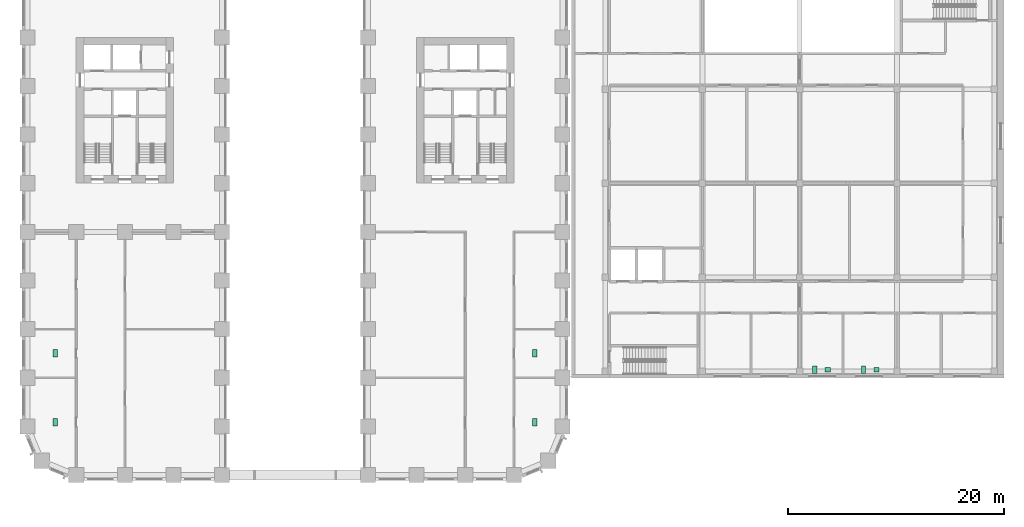
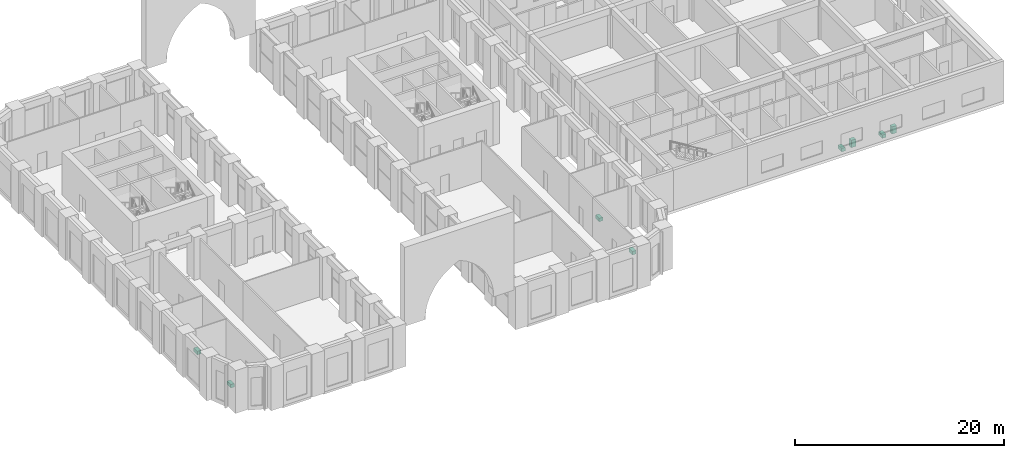
# One storey, part 25 of 25: 8 sanitary terminals.
"""IFC4 building model written with IfcOpenShell, lengths in metres."""

from ifc_helpers import new_model, si_unit, direction, frame, origin, origin_2d, place, context, subcontext, project, spatial, rectangle, extrude, material, type_object, element, save


model = new_model("IFC4")

# Units and contexts
model_context = context("Model", 3, precision=1e-05, world=origin(), true_north=direction((0.0, 1.0)))
body_context = subcontext(model_context, "Body", "Model", "MODEL_VIEW")
ifc_project = project(units=[si_unit("LENGTHUNIT", "METRE"), si_unit("AREAUNIT", "SQUARE_METRE"), si_unit("VOLUMEUNIT", "CUBIC_METRE"), si_unit("PLANEANGLEUNIT", "RADIAN"), si_unit("MASSUNIT", "GRAM", prefix="KILO")], contexts=[model_context])

# Site, building, storey
site_placement = place(None, origin())
site = spatial("IfcSite", under=ifc_project, at=site_placement, CompositionType="ELEMENT")
building_placement = place(site_placement, origin())
building = spatial("IfcBuilding", under=site, at=building_placement, Name="Girih Gate Residences", CompositionType="ELEMENT")
storey_placement = place(building_placement, frame((0.0, 0.0, 6.0)))
storey = spatial("IfcBuildingStorey", under=building, at=storey_placement, Name="L01", CompositionType="ELEMENT", Elevation=6.0)

# Sanitary terminals
ifc_material = material(Name="Vitreous china")
sanitary_terminal_type_1 = type_object("IfcSanitaryTerminalType", Name="HC WC pan", PredefinedType="WCSEAT", material=ifc_material)
for number, where, z_axis, x_axis, name in (
    (1, (72.85009765625, 9.75, 0.0), (0.0, 0.0, 1.0), (1.0, 0.0, 0.0), "L01 Accessible WC WC"),
    (2, (77.35009765625, 9.75, 0.0), (0.0, 0.0, 1.0), (1.0, 0.0, 0.0), "L01 Public WC WC"),
):
    element("IfcSanitaryTerminal", number, at=place(storey_placement, frame(where, z_axis=z_axis, x_axis=x_axis)), inside=storey, type_object=sanitary_terminal_type_1, Name=name, PredefinedType="WCSEAT", context=body_context, shape_type="SweptSolid", body=[
        extrude(rectangle(XDim=0.39990234375, YDim=0.699951171875, at=origin_2d()), origin(), (0.0, 0.0, 1.0), 0.39990234375),
    ])
sanitary_terminal_type_2 = type_object("IfcSanitaryTerminalType", Name="HC Wash hand basin", PredefinedType="WASHHANDBASIN", material=ifc_material)
for number, where, z_axis, x_axis, name in (
    (3, (74.050048828125, 9.75, 0.0), (0.0, 0.0, 1.0), (1.0, 0.0, 0.0), "L01 Accessible WC basin"),
    (4, (78.550048828125, 9.75, 0.0), (0.0, 0.0, 1.0), (1.0, 0.0, 0.0), "L01 Public WC basin"),
):
    element("IfcSanitaryTerminal", number, at=place(storey_placement, frame(where, z_axis=z_axis, x_axis=x_axis)), inside=storey, type_object=sanitary_terminal_type_2, Name=name, PredefinedType="WASHHANDBASIN", context=body_context, shape_type="SweptSolid", body=[
        extrude(rectangle(XDim=0.5, YDim=0.39990234375, at=origin_2d()), origin(), (0.0, 0.0, 1.0), 0.85009765625),
    ])
sanitary_terminal_type_3 = type_object("IfcSanitaryTerminalType", Name="WC pan", PredefinedType="TOILETPAN", material=ifc_material)
for number, where, z_axis, x_axis, name in (
    (5, (46.93798828125, 4.868896484375, 0.0), (0.0, 0.0, 1.0), (1.0, 0.0, 0.0), "WC pan L01"),
    (6, (46.93798828125, 11.25, 0.0), (0.0, 0.0, 1.0), (1.0, 0.0, 0.0), "WC pan L01"),
    (7, (2.56201171875, 4.868896484375, 0.0), (0.0, 0.0, 1.0), (1.0, 0.0, 0.0), "WC pan L01"),
    (8, (2.56201171875, 11.25, 0.0), (0.0, 0.0, 1.0), (1.0, 0.0, 0.0), "WC pan L01"),
):
    element("IfcSanitaryTerminal", number, at=place(storey_placement, frame(where, z_axis=z_axis, x_axis=x_axis)), inside=storey, type_object=sanitary_terminal_type_3, Name=name, PredefinedType="TOILETPAN", context=body_context, shape_type="SweptSolid", body=[
        extrude(rectangle(XDim=0.39990234375, YDim=0.699951171875, at=origin_2d()), origin(), (0.0, 0.0, 1.0), 0.39990234375),
    ])

save(model, "model.ifc")
